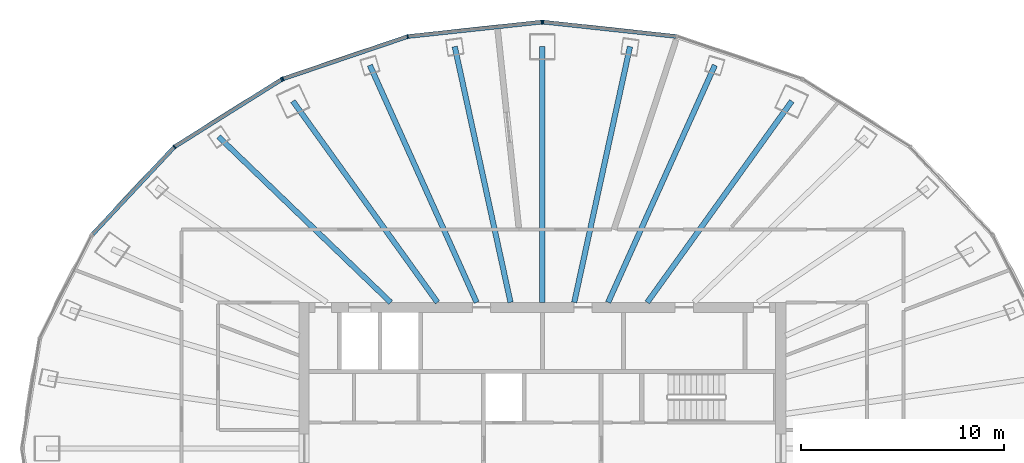
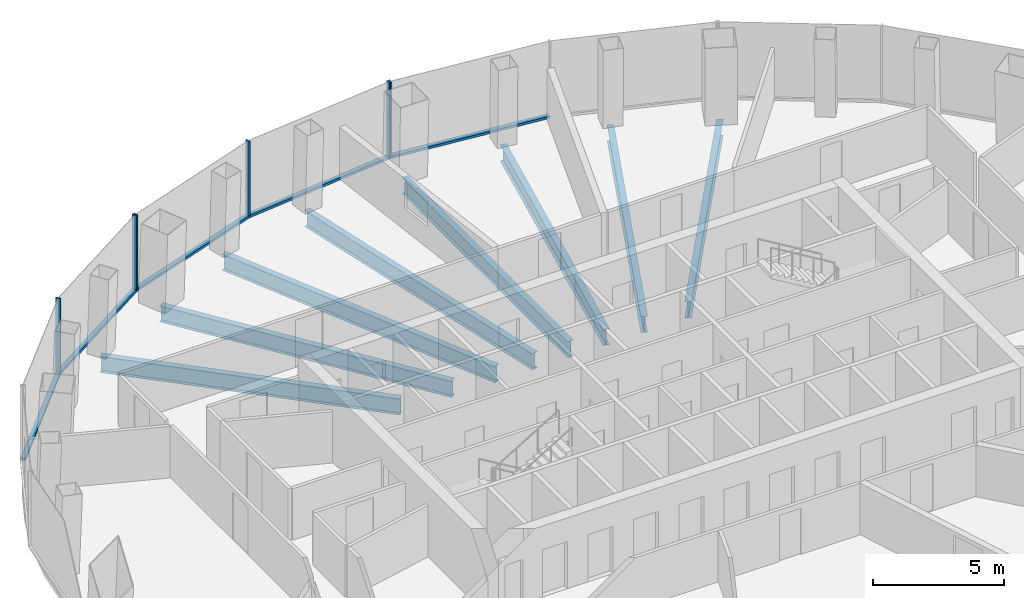
# One storey, part 5 of 12: 11 members, 8 beams, 3 elements without a shape of their own.
"""IFC4 building model written with IfcOpenShell, lengths in metres."""

from ifc_helpers import new_model, si_unit, direction, frame, origin, origin_2d, place, context, subcontext, project, spatial, rectangle, i_section, extrude, material, layer, layer_set, material_profile, profile_set, type_object, element, aggregate, save


model = new_model("IFC4")

# Units and contexts
model_context = context("Model", 3, precision=1e-05, world=origin(), true_north=direction((0.0, 1.0)))
body_context = subcontext(model_context, "Body", "Model", "MODEL_VIEW")
ifc_project = project(units=[si_unit("LENGTHUNIT", "METRE"), si_unit("AREAUNIT", "SQUARE_METRE"), si_unit("VOLUMEUNIT", "CUBIC_METRE"), si_unit("PLANEANGLEUNIT", "RADIAN"), si_unit("MASSUNIT", "GRAM", prefix="KILO")], contexts=[model_context])

# Site, building, storey
site_placement = place(None, origin())
site = spatial("IfcSite", under=ifc_project, at=site_placement, CompositionType="ELEMENT")
building_placement = place(site_placement, origin())
building = spatial("IfcBuilding", under=site, at=building_placement, Name="Siaravel Broadcast Tower", CompositionType="ELEMENT")
storey_placement = place(building_placement, frame((0.0, 0.0, 115.60009765625)))
storey = spatial("IfcBuildingStorey", under=building, at=storey_placement, Name="L27", CompositionType="ELEMENT", Elevation=115.60009765625)

# Beams
ifc_material_1 = material(Name="Steel S355", Category="steel")
ifc_material_profile_1 = material_profile(ifc_material_1, i_section(OverallWidth=0.26513671875, OverallDepth=0.75390625, WebThickness=0.0126953125, FlangeThickness=0.017578125, FilletRadius=0.0166015625, at=origin_2d()))
ifc_profile_set_1 = profile_set([ifc_material_profile_1], Name="Steel S355")
beam_type = type_object("IfcBeamType", Name="BM-UB 762x267x147", PredefinedType="BEAM", material=ifc_profile_set_1)
beam_1_placement = place(storey_placement, frame((12.30029296875, 17.123779296875, -0.527099609375), z_axis=(-0.583402172, -0.812183419, 0.0), x_axis=(0.812183419, -0.583402172, 0.0)))
element("IfcBeam", 1, at=beam_1_placement, inside=storey, type_object=beam_type, Name="Radial beam RB07", PredefinedType="BEAM", context=body_context, shape_type="SweptSolid", body=[
    extrude(i_section(OverallWidth=0.26513671875, OverallDepth=0.75390625, WebThickness=0.0126953125, FlangeThickness=0.017578125, FilletRadius=0.0166015625, at=origin_2d()), origin(), (0.0, 0.0, 1.0), 12.21875),
])
beam_2_placement = place(storey_placement, frame((8.507080078125, 18.892822265625, -0.527099609375), z_axis=(-0.410581569, -0.911823873, 0.0), x_axis=(0.911823873, -0.410581569, 0.0)))
element("IfcBeam", 2, at=beam_2_placement, inside=storey, type_object=beam_type, Name="Radial beam RB08", PredefinedType="BEAM", context=body_context, shape_type="SweptSolid", body=[
    extrude(i_section(OverallWidth=0.26513671875, OverallDepth=0.75390625, WebThickness=0.0126953125, FlangeThickness=0.017578125, FilletRadius=0.0166015625, at=origin_2d()), origin(), (0.0, 0.0, 1.0), 12.823486328125),
])
beam_3_placement = place(storey_placement, frame((4.32080078125, 19.8115234375, -0.527099609375), z_axis=(-0.213083696, -0.97703395, 0.0), x_axis=(0.97703395, -0.213083696, 0.0)))
element("IfcBeam", 3, at=beam_3_placement, inside=storey, type_object=beam_type, Name="Radial beam RB09", PredefinedType="BEAM", context=body_context, shape_type="SweptSolid", body=[
    extrude(i_section(OverallWidth=0.26513671875, OverallDepth=0.75390625, WebThickness=0.0126953125, FlangeThickness=0.017578125, FilletRadius=0.0166015625, at=origin_2d()), origin(), (0.0, 0.0, 1.0), 12.907958984375),
])
beam_4_placement = place(storey_placement, frame((0.0, 19.8212890625, -0.527099609375), z_axis=(0.0, -1.0, 0.0), x_axis=(1.0, 0.0, 0.0)))
element("IfcBeam", 4, at=beam_4_placement, inside=storey, type_object=beam_type, Name="Radial beam RB10", PredefinedType="BEAM", context=body_context, shape_type="SweptSolid", body=[
    extrude(i_section(OverallWidth=0.26513671875, OverallDepth=0.75390625, WebThickness=0.0126953125, FlangeThickness=0.017578125, FilletRadius=0.0166015625, at=origin_2d()), origin(), (0.0, 0.0, 1.0), 12.621337890625),
])
beam_5_placement = place(storey_placement, frame((-4.32080078125, 19.8115234375, -0.527099609375), z_axis=(0.213083696, -0.97703395, 0.0), x_axis=(0.97703395, 0.213083696, 0.0)))
element("IfcBeam", 5, at=beam_5_placement, inside=storey, type_object=beam_type, Name="Radial beam RB11", PredefinedType="BEAM", context=body_context, shape_type="SweptSolid", body=[
    extrude(i_section(OverallWidth=0.26513671875, OverallDepth=0.75390625, WebThickness=0.0126953125, FlangeThickness=0.017578125, FilletRadius=0.0166015625, at=origin_2d()), origin(), (0.0, 0.0, 1.0), 12.907958984375),
])
beam_6_placement = place(storey_placement, frame((-8.507080078125, 18.892822265625, -0.527099609375), z_axis=(0.410581569, -0.911823873, 0.0), x_axis=(0.911823873, 0.410581569, 0.0)))
element("IfcBeam", 6, at=beam_6_placement, inside=storey, type_object=beam_type, Name="Radial beam RB12", PredefinedType="BEAM", context=body_context, shape_type="SweptSolid", body=[
    extrude(i_section(OverallWidth=0.26513671875, OverallDepth=0.75390625, WebThickness=0.0126953125, FlangeThickness=0.017578125, FilletRadius=0.0166015625, at=origin_2d()), origin(), (0.0, 0.0, 1.0), 12.823486328125),
])
beam_7_placement = place(storey_placement, frame((-12.30029296875, 17.123779296875, -0.527099609375), z_axis=(0.583402172, -0.812183419, 0.0), x_axis=(0.812183419, 0.583402172, 0.0)))
element("IfcBeam", 7, at=beam_7_placement, inside=storey, type_object=beam_type, Name="Radial beam RB13", PredefinedType="BEAM", context=body_context, shape_type="SweptSolid", body=[
    extrude(i_section(OverallWidth=0.26513671875, OverallDepth=0.75390625, WebThickness=0.0126953125, FlangeThickness=0.017578125, FilletRadius=0.0166015625, at=origin_2d()), origin(), (0.0, 0.0, 1.0), 12.21875),
])
beam_8_placement = place(storey_placement, frame((-15.964599609375, 15.3671875, -0.527099609375), z_axis=(0.720463289, -0.693493078, 0.0), x_axis=(0.693493078, 0.720463289, 0.0)))
element("IfcBeam", 8, at=beam_8_placement, inside=storey, type_object=beam_type, Name="Radial beam RB14", PredefinedType="BEAM", context=body_context, shape_type="SweptSolid", body=[
    extrude(i_section(OverallWidth=0.26513671875, OverallDepth=0.75390625, WebThickness=0.0126953125, FlangeThickness=0.017578125, FilletRadius=0.0166015625, at=origin_2d()), origin(), (0.0, 0.0, 1.0), 11.77685546875),
])

# Curtain wall, member
ifc_material_2 = material(Name="Aluminium 6063-T6", Category="aluminium")
ifc_layer = layer(ifc_material_2, 0.199951171875)
ifc_layer_set = layer_set([ifc_layer], Name="Aluminium 6063-T6")
curtain_wall_type = type_object("IfcCurtainWallType", Name="Unitised curtain wall, zone 2", PredefinedType="NOTDEFINED", material=ifc_layer_set)
curtain_wall_1_placement = place(storey_placement, origin())
curtain_wall_1 = element("IfcCurtainWall", 9, at=curtain_wall_1_placement, inside=storey, type_object=curtain_wall_type, Name="L27 Unitised curtain wall, zone 2 03", PredefinedType="NOTDEFINED")
ifc_material_profile_2 = material_profile(ifc_material_2, rectangle(XDim=0.199951171875, YDim=0.06494140625, at=origin_2d()))
ifc_profile_set_2 = profile_set([ifc_material_profile_2], Name="Aluminium 6063-T6")
member_type_1 = type_object("IfcMemberType", Name="CW-Z2 mullion", PredefinedType="MULLION", material=ifc_profile_set_2)
member_1_placement = place(storey_placement, frame((0.0322265625, 21.02001953125, 0.0), z_axis=(0.0, 0.0, 1.0), x_axis=(-0.107217456, -0.994235594, 0.0)))
member_1 = element("IfcMember", 10, at=member_1_placement, type_object=member_type_1, Name="CW-Z2 mullion 3", PredefinedType="MULLION", context=body_context, shape_type="SweptSolid", body=[
    extrude(rectangle(XDim=0.199951171875, YDim=0.06494140625, at=origin_2d()), origin(), (0.0, 0.0, 1.0), 3.5498046875),
])

# Curtain wall, members
curtain_wall_2_placement = place(storey_placement, origin())
curtain_wall_2 = element("IfcCurtainWall", 11, at=curtain_wall_2_placement, inside=storey, type_object=curtain_wall_type, Name="L27 Unitised curtain wall, zone 2 04", PredefinedType="NOTDEFINED")
member_2_placement = place(storey_placement, frame((-0.0322265625, 21.02001953125, 0.0), z_axis=(0.0, 0.0, 1.0), x_axis=(0.107217456, -0.994235594, 0.0)))
member_2 = element("IfcMember", 12, at=member_2_placement, type_object=member_type_1, Name="CW-Z2 mullion 1", PredefinedType="MULLION", context=body_context, shape_type="SweptSolid", body=[
    extrude(rectangle(XDim=0.199951171875, YDim=0.06494140625, at=origin_2d()), origin(), (0.0, 0.0, 1.0), 3.5498046875),
])
member_3_placement = place(storey_placement, frame((-6.637939453125, 20.307861328125, 0.0), z_axis=(0.0, 0.0, 1.0), x_axis=(0.215557996, -0.97649104, 0.0)))
member_3 = element("IfcMember", 13, at=member_3_placement, type_object=member_type_1, Name="CW-Z2 mullion 2", PredefinedType="MULLION", context=body_context, shape_type="SweptSolid", body=[
    extrude(rectangle(XDim=0.199951171875, YDim=0.06494140625, at=origin_2d()), origin(), (0.0, 0.0, 1.0), 3.5498046875),
])
member_4_placement = place(storey_placement, frame((-12.793212890625, 18.21923828125, 0.0), z_axis=(0.0, 0.0, 1.0), x_axis=(0.321300513, -0.946977286, 0.0)))
member_4 = element("IfcMember", 14, at=member_4_placement, type_object=member_type_1, Name="CW-Z2 mullion 3", PredefinedType="MULLION", context=body_context, shape_type="SweptSolid", body=[
    extrude(rectangle(XDim=0.199951171875, YDim=0.06494140625, at=origin_2d()), origin(), (0.0, 0.0, 1.0), 3.5498046875),
])

curtain_wall_3_placement = place(storey_placement, origin())
curtain_wall_3 = element("IfcCurtainWall", 15, at=curtain_wall_3_placement, inside=storey, type_object=curtain_wall_type, Name="L27 Unitised curtain wall, zone 2 05", PredefinedType="NOTDEFINED")
member_5_placement = place(storey_placement, frame((-12.8515625, 18.191650390625, 0.0), z_axis=(0.0, 0.0, 1.0), x_axis=(0.532149019, -0.846650708, 0.0)))
member_5 = element("IfcMember", 16, at=member_5_placement, type_object=member_type_1, Name="CW-Z2 mullion 1", PredefinedType="MULLION", context=body_context, shape_type="SweptSolid", body=[
    extrude(rectangle(XDim=0.199951171875, YDim=0.06494140625, at=origin_2d()), origin(), (0.0, 0.0, 1.0), 3.5498046875),
])
member_6_placement = place(storey_placement, frame((-18.137451171875, 14.869384765625, 0.0), z_axis=(0.0, 0.0, 1.0), x_axis=(0.63621839, -0.771509015, 0.0)))
member_6 = element("IfcMember", 17, at=member_6_placement, type_object=member_type_1, Name="CW-Z2 mullion 2", PredefinedType="MULLION", context=body_context, shape_type="SweptSolid", body=[
    extrude(rectangle(XDim=0.199951171875, YDim=0.06494140625, at=origin_2d()), origin(), (0.0, 0.0, 1.0), 3.5498046875),
])

# Member
ifc_material_profile_3 = material_profile(ifc_material_2, rectangle(XDim=0.199951171875, YDim=0.110107421875, at=origin_2d()))
ifc_profile_set_3 = profile_set([ifc_material_profile_3], Name="Aluminium 6063-T6")
member_type_2 = type_object("IfcMemberType", Name="CW-Z2 transom", PredefinedType="USERDEFINED", material=ifc_profile_set_3)
member_7_placement = place(storey_placement, frame((6.60546875, 20.311279296875, 0.054931640625), z_axis=(-0.994236057, 0.107213167, 0.0), x_axis=(-0.107213167, -0.994236057, 0.0)))
member_7 = element("IfcMember", 18, at=member_7_placement, type_object=member_type_2, Name="CW-Z2 transom 2", ObjectType="TRANSOM", PredefinedType="USERDEFINED", context=body_context, shape_type="SweptSolid", body=[
    extrude(rectangle(XDim=0.199951171875, YDim=0.110107421875, at=origin_2d()), origin(), (0.0, 0.0, 1.0), 6.57861328125),
])

aggregate(curtain_wall_1, [member_1, member_7])

member_8_placement = place(storey_placement, frame((-0.064697265625, 21.0166015625, 0.054931640625), z_axis=(-0.994236057, -0.107213167, 0.0), x_axis=(0.107213167, -0.994236057, 0.0)))
member_8 = element("IfcMember", 19, at=member_8_placement, type_object=member_type_2, Name="CW-Z2 transom 1", ObjectType="TRANSOM", PredefinedType="USERDEFINED", context=body_context, shape_type="SweptSolid", body=[
    extrude(rectangle(XDim=0.199951171875, YDim=0.110107421875, at=origin_2d()), origin(), (0.0, 0.0, 1.0), 6.57861328125),
])

member_9_placement = place(storey_placement, frame((-6.668701171875, 20.29736328125, 0.054931640625), z_axis=(-0.946973753, -0.321310926, 0.0), x_axis=(0.321310926, -0.946973753, 0.0)))
member_9 = element("IfcMember", 20, at=member_9_placement, type_object=member_type_2, Name="CW-Z2 transom 2", ObjectType="TRANSOM", PredefinedType="USERDEFINED", context=body_context, shape_type="SweptSolid", body=[
    extrude(rectangle(XDim=0.199951171875, YDim=0.110107421875, at=origin_2d()), origin(), (0.0, 0.0, 1.0), 6.43505859375),
])

aggregate(curtain_wall_2, [member_2, member_3, member_4, member_8, member_9])

member_10_placement = place(storey_placement, frame((-12.879150390625, 18.17431640625, 0.054931640625), z_axis=(-0.846639093, -0.532167499, 0.0), x_axis=(0.532167499, -0.846639093, 0.0)))
member_10 = element("IfcMember", 21, at=member_10_placement, type_object=member_type_2, Name="CW-Z2 transom 1", ObjectType="TRANSOM", PredefinedType="USERDEFINED", context=body_context, shape_type="SweptSolid", body=[
    extrude(rectangle(XDim=0.199951171875, YDim=0.110107421875, at=origin_2d()), origin(), (0.0, 0.0, 1.0), 6.17822265625),
])

member_11_placement = place(storey_placement, frame((-18.15966796875, 14.845458984375, 0.054931640625), z_axis=(-0.683660134, -0.729800536, 0.0), x_axis=(0.729800536, -0.683660134, 0.0)))
member_11 = element("IfcMember", 22, at=member_11_placement, type_object=member_type_2, Name="CW-Z2 transom 2", ObjectType="TRANSOM", PredefinedType="USERDEFINED", context=body_context, shape_type="SweptSolid", body=[
    extrude(rectangle(XDim=0.199951171875, YDim=0.110107421875, at=origin_2d()), origin(), (0.0, 0.0, 1.0), 5.867919921875),
])

aggregate(curtain_wall_3, [member_5, member_6, member_10, member_11])

save(model, "model.ifc")
